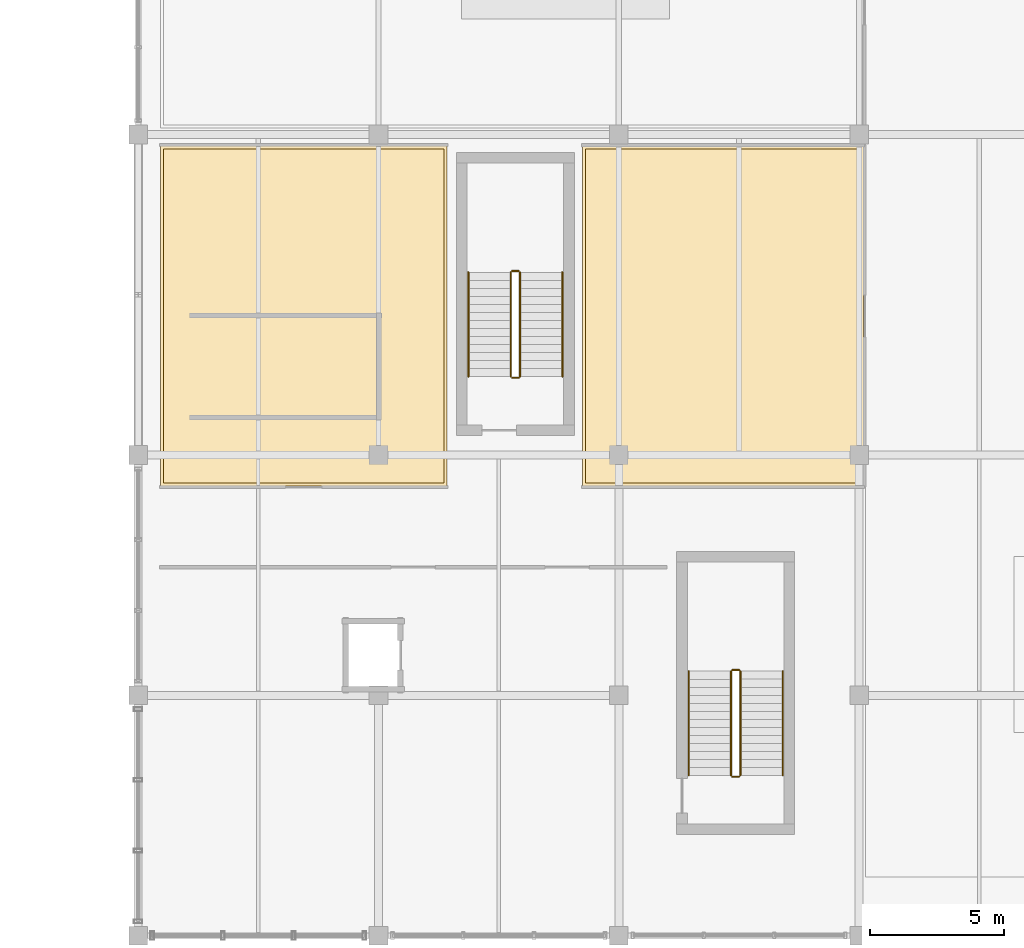
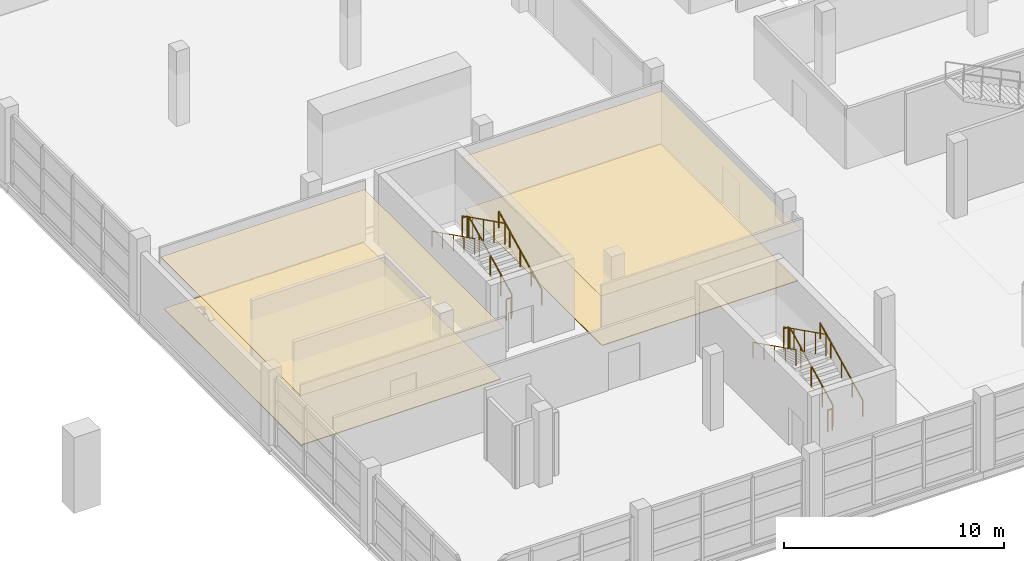
# One storey, part 130 of 136: 12 railings, 4 coverings.
"""IFC4 building model written with IfcOpenShell, lengths in metres."""

import ifcopenshell
import ifcopenshell.guid

model = None  # the IFC model being written
_history = None  # IfcOwnerHistory: only IFC2X3 demands one
_inside = {}  # id of a spatial element -> (the spatial element, [elements in it])
_under = {}  # id of a project, library or spatial element -> (it, [spatial elements below it])
_declared = {}  # id of a project -> (the project, [libraries it declares])
_typed = {}  # id of a type object -> (the type object, [elements of that type])
_made_of = {}  # id of a material, layer set ... -> (it, [elements and type objects made of it])


def new_model(schema):
    """Start an empty IFC model of exactly this schema.

    Asked for "IFC4X3", IfcOpenShell would pick the latest addendum, in which some entities
    have other attributes; the version numbers below select the first issue.
    IFC2X3 requires an IfcOwnerHistory on every rooted entity: one is made here for all.
    """
    global model, _history
    if schema == "IFC4X3":
        model = ifcopenshell.file(schema_version=(4, 3, 0, 0))
    else:
        model = ifcopenshell.file(schema=schema)
    _inside.clear()
    _under.clear()
    _declared.clear()
    _typed.clear()
    _made_of.clear()
    _history = None
    if model.schema == "IFC2X3":
        org = make("IfcOrganization", Name="unknown")
        user = make(
            "IfcPersonAndOrganization",
            ThePerson=make("IfcPerson", FamilyName="unknown"),
            TheOrganization=org,
        )
        app = make(
            "IfcApplication",
            ApplicationDeveloper=org,
            Version="unknown",
            ApplicationFullName="unknown",
            ApplicationIdentifier="unknown",
        )
        _history = make(
            "IfcOwnerHistory",
            OwningUser=user,
            OwningApplication=app,
            ChangeAction="ADDED",
            CreationDate=0,
        )
    return model


def make(cls, **values):
    """One entity of the class cls with the attributes given. An attribute that is None is left unset."""
    return model.create_entity(
        cls, **{name: value for name, value in values.items() if value is not None}
    )


def rooted(cls, **values):
    """An entity with a GlobalId (a new one), such as an element, a storey or a relation."""
    return make(cls, GlobalId=ifcopenshell.guid.new(), OwnerHistory=_history, **values)


def si_unit(unit_type, name, prefix=None):
    """IfcSIUnit, for example si_unit("LENGTHUNIT", "METRE", prefix="MILLI")."""
    return make("IfcSIUnit", UnitType=unit_type, Prefix=prefix, Name=name)


def assignment(units):
    """IfcUnitAssignment: the units of a project."""
    return None if units is None else make("IfcUnitAssignment", Units=units)


def point(xyz):
    """IfcCartesianPoint."""
    return None if xyz is None else make("IfcCartesianPoint", Coordinates=xyz)


def direction(xyz):
    """IfcDirection."""
    return None if xyz is None else make("IfcDirection", DirectionRatios=xyz)


def frame(location, z_axis=None, x_axis=None):
    """IfcAxis2Placement3D, a coordinate frame: its origin and axes. An axis left out is left unset."""
    return make(
        "IfcAxis2Placement3D",
        Location=point(location),
        Axis=direction(z_axis),
        RefDirection=direction(x_axis),
    )


def frame_2d(location, x_axis=None):
    """IfcAxis2Placement2D, a coordinate frame in the plane: its origin and x axis."""
    return make(
        "IfcAxis2Placement2D", Location=point(location), RefDirection=direction(x_axis)
    )


def origin():
    """The frame at (0, 0, 0) with its axes left unset."""
    return frame((0.0, 0.0, 0.0))


def origin_2d():
    """The frame at (0, 0) in the plane with its x axis left unset."""
    return frame_2d((0.0, 0.0))


def place(relative_to, where):
    """IfcLocalPlacement: puts the frame where relative to a parent placement (None: the world)."""
    return make(
        "IfcLocalPlacement", PlacementRelTo=relative_to, RelativePlacement=where
    )


def context(
    kind, dimensions, precision=None, world=None, true_north=None, identifier=None
):
    """IfcGeometricRepresentationContext, for example the 3D "Model" context."""
    return make(
        "IfcGeometricRepresentationContext",
        ContextIdentifier=identifier,
        ContextType=kind,
        CoordinateSpaceDimension=dimensions,
        Precision=precision,
        WorldCoordinateSystem=world,
        TrueNorth=true_north,
    )


def subcontext(parent, identifier, kind, view, scale=None):
    """IfcGeometricRepresentationSubContext, for example "Body" below "Model"."""
    return make(
        "IfcGeometricRepresentationSubContext",
        ContextIdentifier=identifier,
        ContextType=kind,
        ParentContext=parent,
        TargetScale=scale,
        TargetView=view,
    )


def project(units=None, contexts=None):
    """IfcProject with its units and contexts."""
    return rooted(
        "IfcProject",
        Name="project",
        RepresentationContexts=contexts,
        UnitsInContext=assignment(units),
    )


def spatial(cls, under=None, at=None, **own):
    """A site, building, storey or space (cls), placed at a placement, below another one or the project."""
    s = rooted(cls, ObjectPlacement=at, **own)
    if under is not None:
        _under.setdefault(under.id(), (under, []))[1].append(s)
    return s


def polyline(points):
    """IfcPolyline through the points."""
    return make("IfcPolyline", Points=[point(p) for p in points])


def profile(cls, at=None, kind="AREA", **sizes):
    """A parametric profile (cls). Its sizes go by their IFC names, for example OverallWidth=200.0."""
    return make(cls, ProfileType=kind, Position=at, **sizes)


def circle(**sizes):
    """IfcCircleProfileDef."""
    return profile("IfcCircleProfileDef", **sizes)


def outline(outer, holes=None, kind="AREA"):
    """IfcArbitraryClosedProfileDef: a profile drawn as a closed curve; with holes, ...WithVoids."""
    if holes is None:
        return make("IfcArbitraryClosedProfileDef", ProfileType=kind, OuterCurve=outer)
    return make(
        "IfcArbitraryProfileDefWithVoids",
        ProfileType=kind,
        OuterCurve=outer,
        InnerCurves=holes,
    )


def extrude(swept, where, along, depth):
    """IfcExtrudedAreaSolid: the profile swept, set in the frame where, extruded along a direction by depth."""
    return make(
        "IfcExtrudedAreaSolid",
        SweptArea=swept,
        Position=where,
        ExtrudedDirection=direction(along),
        Depth=depth,
    )


def shape(context_of_items, identifier, shape_type, items):
    """IfcShapeRepresentation: the items that make up one representation, for example the "Body"."""
    return make(
        "IfcShapeRepresentation",
        ContextOfItems=context_of_items,
        RepresentationIdentifier=identifier,
        RepresentationType=shape_type,
        Items=items,
    )


def material(Name=None, Category=None):
    """IfcMaterial."""
    return make("IfcMaterial", Name=Name, Category=Category)


def layer(
    of_material, thickness, ventilated=None, Name=None, Category=None, Priority=None
):
    """IfcMaterialLayer: one layer of a wall or slab, of a material (None: an air gap)."""
    return make(
        "IfcMaterialLayer",
        Material=of_material,
        LayerThickness=thickness,
        IsVentilated=ventilated,
        Name=Name,
        Category=Category,
        Priority=Priority,
    )


def layer_set(layers, Name=None):
    """IfcMaterialLayerSet."""
    return make("IfcMaterialLayerSet", MaterialLayers=layers, LayerSetName=Name)


def made_of(thing, what):
    """Note that an element or type object is made of a material, layer set ...; save() writes the relation."""
    if what is not None:
        _made_of.setdefault(what.id(), (what, []))[1].append(thing)
    return thing


def type_object(cls, material=None, **own):
    """A type object (cls), such as IfcWallType, which elements share."""
    return made_of(rooted(cls, **own), material)


def element(
    cls,
    number,
    at=None,
    inside=None,
    cuts=None,
    type_object=None,
    material=None,
    context=None,
    identifier="Body",
    shape_type=None,
    held_by="IfcProductDefinitionShape",
    body=None,
    shapes=None,
    **own,
):
    """One element of the class cls, such as IfcWall. Its Tag is "e" and its number.

    at: its placement. inside: the storey or other place that contains it. cuts: it is an
    opening in that element (IfcRelVoidsElement). A single representation is given by context,
    identifier, shape_type and body (its items); several are given by shapes. held_by: the class
    of the entity that holds the representations. save() writes the other relations.
    """
    e = rooted(cls, Tag="e%d" % number, ObjectPlacement=at, **own)
    if body is not None:
        shapes = [shape(context, identifier, shape_type, body)]
    if shapes is not None:
        e.Representation = make(held_by, Representations=shapes)
    if inside is not None:
        _inside.setdefault(inside.id(), (inside, []))[1].append(e)
    if cuts is not None:
        rooted(
            "IfcRelVoidsElement", RelatingBuildingElement=cuts, RelatedOpeningElement=e
        )
    if type_object is not None:
        _typed.setdefault(type_object.id(), (type_object, []))[1].append(e)
    return made_of(e, material)


def aggregate(whole, parts):
    """IfcRelAggregates: a whole, such as a stair, and the parts it consists of."""
    return rooted("IfcRelAggregates", RelatingObject=whole, RelatedObjects=parts)


def save(model, path):
    """Write the relations noted so far, then the file.

    IfcRelAggregates (storeys below a building ...), IfcRelContainedInSpatialStructure (elements
    in a storey), IfcRelDefinesByType, IfcRelAssociatesMaterial and IfcRelDeclares: one each for
    every whole, place, type object, material and project.
    """
    for whole, parts in _under.values():
        aggregate(whole, parts)
    for where, things in _inside.values():
        rooted(
            "IfcRelContainedInSpatialStructure",
            RelatedElements=things,
            RelatingStructure=where,
        )
    for kind, things in _typed.values():
        rooted("IfcRelDefinesByType", RelatedObjects=things, RelatingType=kind)
    for what, things in _made_of.values():
        rooted("IfcRelAssociatesMaterial", RelatedObjects=things, RelatingMaterial=what)
    for by, libraries in _declared.values():
        rooted("IfcRelDeclares", RelatingContext=by, RelatedDefinitions=libraries)
    model.write(path)


model = new_model("IFC4")

# Units and contexts
model_context = context("Model", 3, precision=1e-05, world=origin(), true_north=direction((0.0, 1.0)))
body_context = subcontext(model_context, "Body", "Model", "MODEL_VIEW")
ifc_project = project(units=[si_unit("LENGTHUNIT", "METRE"), si_unit("AREAUNIT", "SQUARE_METRE"), si_unit("VOLUMEUNIT", "CUBIC_METRE"), si_unit("PLANEANGLEUNIT", "RADIAN"), si_unit("MASSUNIT", "GRAM", prefix="KILO")], contexts=[model_context])

# Site, building, storey
site_placement = place(None, origin())
site = spatial("IfcSite", under=ifc_project, at=site_placement, CompositionType="ELEMENT")
building_placement = place(site_placement, origin())
building = spatial("IfcBuilding", under=site, at=building_placement, Name="Chuanluo Vaults Station", CompositionType="ELEMENT")
storey_placement = place(building_placement, frame((0.0, 0.0, 6.60009765625)))
storey = spatial("IfcBuildingStorey", under=building, at=storey_placement, Name="L01", CompositionType="ELEMENT", Elevation=6.60009765625)

# Coverings
ifc_material_1 = material(Name="Acoustic mineral-fibre tile")
ifc_layer_1 = layer(ifc_material_1, 0.02490234375)
ifc_layer_set_1 = layer_set([ifc_layer_1], Name="Acoustic mineral-fibre tile")
covering_type_1 = type_object("IfcCoveringType", Name="COV-CEIL-TILE", PredefinedType="CEILING", material=ifc_layer_set_1)
covering_1_placement = place(storey_placement, frame((0.0, 0.0, 2.849853515625)))
element("IfcCovering", 1, at=covering_1_placement, inside=storey, type_object=covering_type_1, Name="L01-08 suspended acoustic ceiling", PredefinedType="CEILING", context=body_context, shape_type="SweptSolid", body=[
    extrude(outline(polyline([(152.639892578125, 16.840087890625), (163.159912109375, 16.840087890625), (163.159912109375, 29.56005859375), (152.639892578125, 29.56005859375), (152.639892578125, 16.840087890625)])), origin(), (0.0, 0.0, 1.0), 0.025146484375),
])
covering_2_placement = place(storey_placement, frame((0.0, 0.0, 2.849853515625)))
element("IfcCovering", 2, at=covering_2_placement, inside=storey, type_object=covering_type_1, Name="L01-08B suspended acoustic ceiling", PredefinedType="CEILING", context=body_context, shape_type="SweptSolid", body=[
    extrude(outline(polyline([(136.840087890625, 16.840087890625), (147.56005859375, 16.840087890625), (147.56005859375, 29.56005859375), (136.840087890625, 29.56005859375), (136.840087890625, 16.840087890625)])), origin(), (0.0, 0.0, 1.0), 0.025146484375),
])
ifc_material_2 = material(Name="Granite stone flooring", Category="masonry")
ifc_layer_2 = layer(ifc_material_2, 0.034912109375)
ifc_layer_set_2 = layer_set([ifc_layer_2], Name="Granite stone flooring")
covering_type_2 = type_object("IfcCoveringType", Name="COV-FLOR-GRAN", PredefinedType="FLOORING", material=ifc_layer_set_2)
covering_3_placement = place(storey_placement, origin())
element("IfcCovering", 3, at=covering_3_placement, inside=storey, type_object=covering_type_2, Name="L01-08 granite floor finish", PredefinedType="FLOORING", context=body_context, shape_type="SweptSolid", body=[
    extrude(outline(polyline([(152.75, 16.949951171875), (163.050048828125, 16.949951171875), (163.050048828125, 29.449951171875), (152.75, 29.449951171875), (152.75, 16.949951171875)])), origin(), (0.0, 0.0, 1.0), 0.034912109375),
])
covering_4_placement = place(storey_placement, origin())
element("IfcCovering", 4, at=covering_4_placement, inside=storey, type_object=covering_type_2, Name="L01-08B granite floor finish", PredefinedType="FLOORING", context=body_context, shape_type="SweptSolid", body=[
    extrude(outline(polyline([(136.949951171875, 16.949951171875), (147.449951171875, 16.949951171875), (147.449951171875, 29.449951171875), (136.949951171875, 29.449951171875), (136.949951171875, 16.949951171875)])), origin(), (0.0, 0.0, 1.0), 0.034912109375),
])

# Railings
ifc_material_3 = material(Name="Tempered laminated balustrade glass", Category="glass")
railing_type_1 = type_object("IfcRailingType", Name="RLG-GUARD-1200", PredefinedType="BALUSTRADE", material=ifc_material_3)
railing_1_placement = place(storey_placement, frame((150.302490234375, 20.9375, 0.14990234375)))
element("IfcRailing", 5, at=railing_1_placement, inside=storey, type_object=railing_type_1, Name="L01 ST-04 stair guard 1", PredefinedType="BALUSTRADE", context=body_context, shape_type="SweptSolid", body=[
    extrude(circle(Radius=0.02392578125, at=origin_2d()), frame((0.0, 0.0, 1.17578125), z_axis=(0.0, 0.894427191, 0.4472135955), x_axis=(-1.0, 0.0, 0.0)), (0.0, 0.0, 1.0), 4.360107421875),
    extrude(circle(Radius=0.02099609375, at=origin_2d()), origin(), (0.0, 0.0, 1.0), 1.15185546875),
    extrude(circle(Radius=0.02099609375, at=origin_2d()), frame((0.0, 0.97509765625, 0.487548828125)), (0.0, 0.0, 1.0), 1.15185546875),
    extrude(circle(Radius=0.02099609375, at=origin_2d()), frame((0.0, 1.949951171875, 0.97509765625)), (0.0, 0.0, 1.0), 1.15185546875),
    extrude(circle(Radius=0.02099609375, at=origin_2d()), frame((0.0, 2.9248046875, 1.46240234375)), (0.0, 0.0, 1.0), 1.15185546875),
    extrude(circle(Radius=0.02099609375, at=origin_2d()), frame((0.0, 3.89990234375, 1.949951171875)), (0.0, 0.0, 1.0), 1.15185546875),
])
railing_2_placement = place(storey_placement, frame((150.25244140625, 24.887451171875, 2.099853515625)))
element("IfcRailing", 6, at=railing_2_placement, inside=storey, type_object=railing_type_1, Name="L01 ST-04 stair guard 2", PredefinedType="BALUSTRADE", context=body_context, shape_type="SweptSolid", body=[
    extrude(circle(Radius=0.02392578125, at=origin_2d()), frame((0.0, 0.0, 1.17578125), z_axis=(-1.0, 0.0, 0.0), x_axis=(0.0, -1.0, 0.0)), (0.0, 0.0, 1.0), 0.25),
    extrude(circle(Radius=0.02099609375, at=origin_2d()), origin(), (0.0, 0.0, 1.0), 1.15185546875),
    extrude(circle(Radius=0.02099609375, at=origin_2d()), frame((-0.25, 0.0, 0.0)), (0.0, 0.0, 1.0), 1.15185546875),
])
railing_3_placement = place(storey_placement, frame((149.952392578125, 24.83740234375, 2.25)))
element("IfcRailing", 7, at=railing_3_placement, inside=storey, type_object=railing_type_1, Name="L01 ST-04 stair guard 3", PredefinedType="BALUSTRADE", context=body_context, shape_type="SweptSolid", body=[
    extrude(circle(Radius=0.02392578125, at=origin_2d()), frame((0.0, 0.0, 1.17578125), z_axis=(0.0, -0.894427191, 0.4472135955), x_axis=(1.0, 0.0, 0.0)), (0.0, 0.0, 1.0), 4.360107421875),
    extrude(circle(Radius=0.02099609375, at=origin_2d()), origin(), (0.0, 0.0, 1.0), 1.15185546875),
    extrude(circle(Radius=0.02099609375, at=origin_2d()), frame((0.0, -0.97509765625, 0.487548828125)), (0.0, 0.0, 1.0), 1.15185546875),
    extrude(circle(Radius=0.02099609375, at=origin_2d()), frame((0.0, -1.949951171875, 0.97509765625)), (0.0, 0.0, 1.0), 1.15185546875),
    extrude(circle(Radius=0.02099609375, at=origin_2d()), frame((0.0, -2.9248046875, 1.46240234375)), (0.0, 0.0, 1.0), 1.15185546875),
    extrude(circle(Radius=0.02099609375, at=origin_2d()), frame((0.0, -3.89990234375, 1.949951171875)), (0.0, 0.0, 1.0), 1.15185546875),
])
railing_4_placement = place(storey_placement, frame((150.25244140625, 20.887451171875, 0.0)))
element("IfcRailing", 8, at=railing_4_placement, inside=storey, type_object=railing_type_1, Name="L01 ST-04 stair guard 4", PredefinedType="BALUSTRADE", context=body_context, shape_type="SweptSolid", body=[
    extrude(circle(Radius=0.02392578125, at=origin_2d()), frame((0.0, 0.0, 1.17578125), z_axis=(-1.0, 0.0, 0.0), x_axis=(0.0, -1.0, 0.0)), (0.0, 0.0, 1.0), 0.25),
    extrude(circle(Radius=0.02099609375, at=origin_2d()), origin(), (0.0, 0.0, 1.0), 1.15185546875),
    extrude(circle(Radius=0.02099609375, at=origin_2d()), frame((-0.25, 0.0, 0.0)), (0.0, 0.0, 1.0), 1.15185546875),
])
railing_5_placement = place(storey_placement, frame((158.552490234375, 6.0, 0.14990234375)))
element("IfcRailing", 9, at=railing_5_placement, inside=storey, type_object=railing_type_1, Name="L01 ST-05 stair guard 1", PredefinedType="BALUSTRADE", context=body_context, shape_type="SweptSolid", body=[
    extrude(circle(Radius=0.02392578125, at=origin_2d()), frame((0.0, 0.0, 1.17578125), z_axis=(0.0, 0.894427191, 0.4472135955), x_axis=(-1.0, 0.0, 0.0)), (0.0, 0.0, 1.0), 4.360107421875),
    extrude(circle(Radius=0.02099609375, at=origin_2d()), origin(), (0.0, 0.0, 1.0), 1.15185546875),
    extrude(circle(Radius=0.02099609375, at=origin_2d()), frame((0.0, 0.97509765625, 0.487548828125)), (0.0, 0.0, 1.0), 1.15185546875),
    extrude(circle(Radius=0.02099609375, at=origin_2d()), frame((0.0, 1.949951171875, 0.97509765625)), (0.0, 0.0, 1.0), 1.15185546875),
    extrude(circle(Radius=0.02099609375, at=origin_2d()), frame((0.0, 2.9248046875, 1.46240234375)), (0.0, 0.0, 1.0), 1.15185546875),
    extrude(circle(Radius=0.02099609375, at=origin_2d()), frame((0.0, 3.89990234375, 1.949951171875)), (0.0, 0.0, 1.0), 1.15185546875),
])
railing_6_placement = place(storey_placement, frame((158.50244140625, 9.949951171875, 2.099853515625)))
element("IfcRailing", 10, at=railing_6_placement, inside=storey, type_object=railing_type_1, Name="L01 ST-05 stair guard 2", PredefinedType="BALUSTRADE", context=body_context, shape_type="SweptSolid", body=[
    extrude(circle(Radius=0.02392578125, at=origin_2d()), frame((0.0, 0.0, 1.17578125), z_axis=(-1.0, 0.0, 0.0), x_axis=(0.0, -1.0, 0.0)), (0.0, 0.0, 1.0), 0.25),
    extrude(circle(Radius=0.02099609375, at=origin_2d()), origin(), (0.0, 0.0, 1.0), 1.15185546875),
    extrude(circle(Radius=0.02099609375, at=origin_2d()), frame((-0.25, 0.0, 0.0)), (0.0, 0.0, 1.0), 1.15185546875),
])
railing_7_placement = place(storey_placement, frame((158.202392578125, 9.89990234375, 2.25)))
element("IfcRailing", 11, at=railing_7_placement, inside=storey, type_object=railing_type_1, Name="L01 ST-05 stair guard 3", PredefinedType="BALUSTRADE", context=body_context, shape_type="SweptSolid", body=[
    extrude(circle(Radius=0.02392578125, at=origin_2d()), frame((0.0, 0.0, 1.17578125), z_axis=(0.0, -0.894427191, 0.4472135955), x_axis=(1.0, 0.0, 0.0)), (0.0, 0.0, 1.0), 4.360107421875),
    extrude(circle(Radius=0.02099609375, at=origin_2d()), origin(), (0.0, 0.0, 1.0), 1.15185546875),
    extrude(circle(Radius=0.02099609375, at=origin_2d()), frame((0.0, -0.97509765625, 0.487548828125)), (0.0, 0.0, 1.0), 1.15185546875),
    extrude(circle(Radius=0.02099609375, at=origin_2d()), frame((0.0, -1.949951171875, 0.97509765625)), (0.0, 0.0, 1.0), 1.15185546875),
    extrude(circle(Radius=0.02099609375, at=origin_2d()), frame((0.0, -2.9248046875, 1.46240234375)), (0.0, 0.0, 1.0), 1.15185546875),
    extrude(circle(Radius=0.02099609375, at=origin_2d()), frame((0.0, -3.89990234375, 1.949951171875)), (0.0, 0.0, 1.0), 1.15185546875),
])
railing_8_placement = place(storey_placement, frame((158.50244140625, 5.949951171875, 0.0)))
element("IfcRailing", 12, at=railing_8_placement, inside=storey, type_object=railing_type_1, Name="L01 ST-05 stair guard 4", PredefinedType="BALUSTRADE", context=body_context, shape_type="SweptSolid", body=[
    extrude(circle(Radius=0.02392578125, at=origin_2d()), frame((0.0, 0.0, 1.17578125), z_axis=(-1.0, 0.0, 0.0), x_axis=(0.0, -1.0, 0.0)), (0.0, 0.0, 1.0), 0.25),
    extrude(circle(Radius=0.02099609375, at=origin_2d()), origin(), (0.0, 0.0, 1.0), 1.15185546875),
    extrude(circle(Radius=0.02099609375, at=origin_2d()), frame((-0.25, 0.0, 0.0)), (0.0, 0.0, 1.0), 1.15185546875),
])
ifc_material_4 = material(Name="Brushed stainless steel 304", Category="steel")
railing_type_2 = type_object("IfcRailingType", Name="RLG-HAND-900", PredefinedType="HANDRAIL", material=ifc_material_4)
railing_9_placement = place(storey_placement, frame((151.887451171875, 20.9375, 0.14990234375)))
element("IfcRailing", 13, at=railing_9_placement, inside=storey, type_object=railing_type_2, Name="L01 ST-04 stair handrail 1", PredefinedType="HANDRAIL", context=body_context, shape_type="SweptSolid", body=[
    extrude(circle(Radius=0.02392578125, at=origin_2d()), frame((0.0, 0.0, 0.8759765625), z_axis=(0.0, 0.894427191, 0.4472135955), x_axis=(-1.0, 0.0, 0.0)), (0.0, 0.0, 1.0), 4.360107421875),
    extrude(circle(Radius=0.02099609375, at=origin_2d()), origin(), (0.0, 0.0, 1.0), 0.851806640625),
    extrude(circle(Radius=0.02099609375, at=origin_2d()), frame((0.0, 0.97509765625, 0.487548828125)), (0.0, 0.0, 1.0), 0.851806640625),
    extrude(circle(Radius=0.02099609375, at=origin_2d()), frame((0.0, 1.949951171875, 0.97509765625)), (0.0, 0.0, 1.0), 0.851806640625),
    extrude(circle(Radius=0.02099609375, at=origin_2d()), frame((0.0, 2.9248046875, 1.46240234375)), (0.0, 0.0, 1.0), 0.851806640625),
    extrude(circle(Radius=0.02099609375, at=origin_2d()), frame((0.0, 3.89990234375, 1.949951171875)), (0.0, 0.0, 1.0), 0.851806640625),
])
railing_10_placement = place(storey_placement, frame((148.367431640625, 24.83740234375, 2.25)))
element("IfcRailing", 14, at=railing_10_placement, inside=storey, type_object=railing_type_2, Name="L01 ST-04 stair handrail 2", PredefinedType="HANDRAIL", context=body_context, shape_type="SweptSolid", body=[
    extrude(circle(Radius=0.02392578125, at=origin_2d()), frame((0.0, 0.0, 0.8759765625), z_axis=(0.0, -0.894427191, 0.4472135955), x_axis=(1.0, 0.0, 0.0)), (0.0, 0.0, 1.0), 4.360107421875),
    extrude(circle(Radius=0.02099609375, at=origin_2d()), origin(), (0.0, 0.0, 1.0), 0.851806640625),
    extrude(circle(Radius=0.02099609375, at=origin_2d()), frame((0.0, -0.97509765625, 0.487548828125)), (0.0, 0.0, 1.0), 0.851806640625),
    extrude(circle(Radius=0.02099609375, at=origin_2d()), frame((0.0, -1.949951171875, 0.97509765625)), (0.0, 0.0, 1.0), 0.851806640625),
    extrude(circle(Radius=0.02099609375, at=origin_2d()), frame((0.0, -2.9248046875, 1.46240234375)), (0.0, 0.0, 1.0), 0.851806640625),
    extrude(circle(Radius=0.02099609375, at=origin_2d()), frame((0.0, -3.89990234375, 1.949951171875)), (0.0, 0.0, 1.0), 0.851806640625),
])
railing_11_placement = place(storey_placement, frame((160.137451171875, 6.0, 0.14990234375)))
element("IfcRailing", 15, at=railing_11_placement, inside=storey, type_object=railing_type_2, Name="L01 ST-05 stair handrail 1", PredefinedType="HANDRAIL", context=body_context, shape_type="SweptSolid", body=[
    extrude(circle(Radius=0.02392578125, at=origin_2d()), frame((0.0, 0.0, 0.8759765625), z_axis=(0.0, 0.894427191, 0.4472135955), x_axis=(-1.0, 0.0, 0.0)), (0.0, 0.0, 1.0), 4.360107421875),
    extrude(circle(Radius=0.02099609375, at=origin_2d()), origin(), (0.0, 0.0, 1.0), 0.851806640625),
    extrude(circle(Radius=0.02099609375, at=origin_2d()), frame((0.0, 0.97509765625, 0.487548828125)), (0.0, 0.0, 1.0), 0.851806640625),
    extrude(circle(Radius=0.02099609375, at=origin_2d()), frame((0.0, 1.949951171875, 0.97509765625)), (0.0, 0.0, 1.0), 0.851806640625),
    extrude(circle(Radius=0.02099609375, at=origin_2d()), frame((0.0, 2.9248046875, 1.46240234375)), (0.0, 0.0, 1.0), 0.851806640625),
    extrude(circle(Radius=0.02099609375, at=origin_2d()), frame((0.0, 3.89990234375, 1.949951171875)), (0.0, 0.0, 1.0), 0.851806640625),
])
railing_12_placement = place(storey_placement, frame((156.617431640625, 9.89990234375, 2.25)))
element("IfcRailing", 16, at=railing_12_placement, inside=storey, type_object=railing_type_2, Name="L01 ST-05 stair handrail 2", PredefinedType="HANDRAIL", context=body_context, shape_type="SweptSolid", body=[
    extrude(circle(Radius=0.02392578125, at=origin_2d()), frame((0.0, 0.0, 0.8759765625), z_axis=(0.0, -0.894427191, 0.4472135955), x_axis=(1.0, 0.0, 0.0)), (0.0, 0.0, 1.0), 4.360107421875),
    extrude(circle(Radius=0.02099609375, at=origin_2d()), origin(), (0.0, 0.0, 1.0), 0.851806640625),
    extrude(circle(Radius=0.02099609375, at=origin_2d()), frame((0.0, -0.97509765625, 0.487548828125)), (0.0, 0.0, 1.0), 0.851806640625),
    extrude(circle(Radius=0.02099609375, at=origin_2d()), frame((0.0, -1.949951171875, 0.97509765625)), (0.0, 0.0, 1.0), 0.851806640625),
    extrude(circle(Radius=0.02099609375, at=origin_2d()), frame((0.0, -2.9248046875, 1.46240234375)), (0.0, 0.0, 1.0), 0.851806640625),
    extrude(circle(Radius=0.02099609375, at=origin_2d()), frame((0.0, -3.89990234375, 1.949951171875)), (0.0, 0.0, 1.0), 0.851806640625),
])

save(model, "model.ifc")
